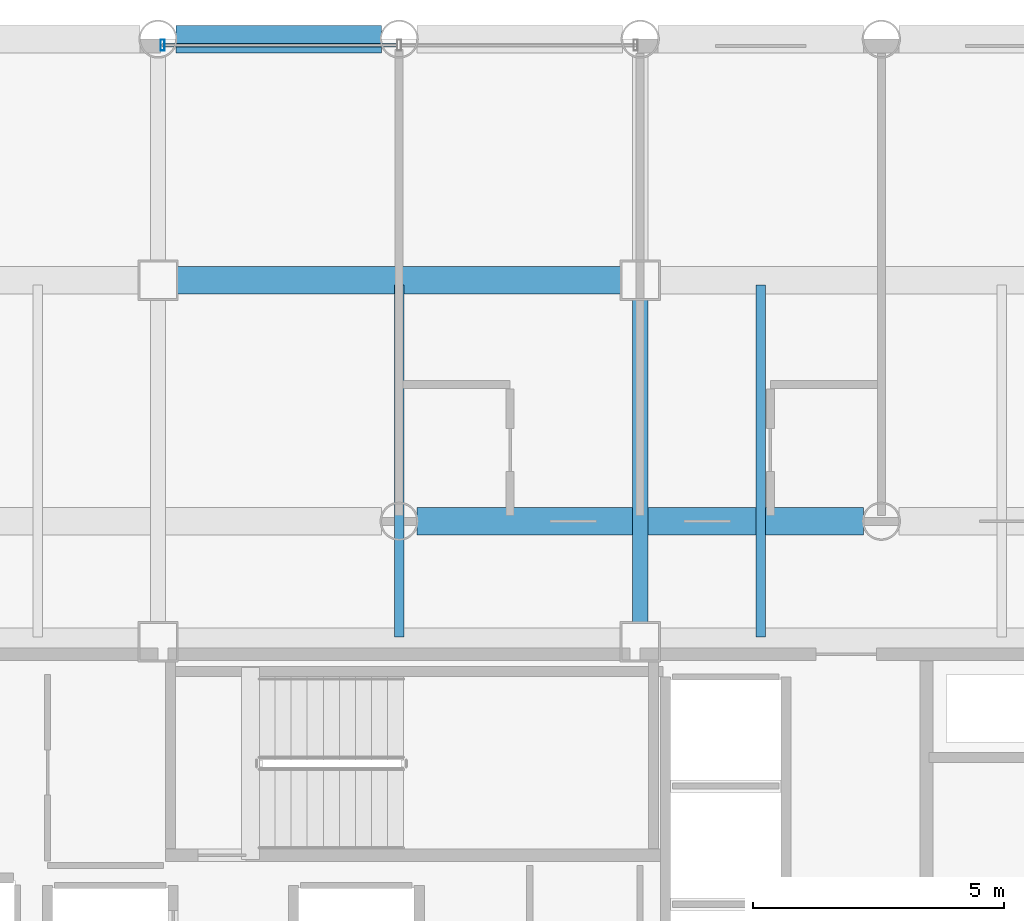
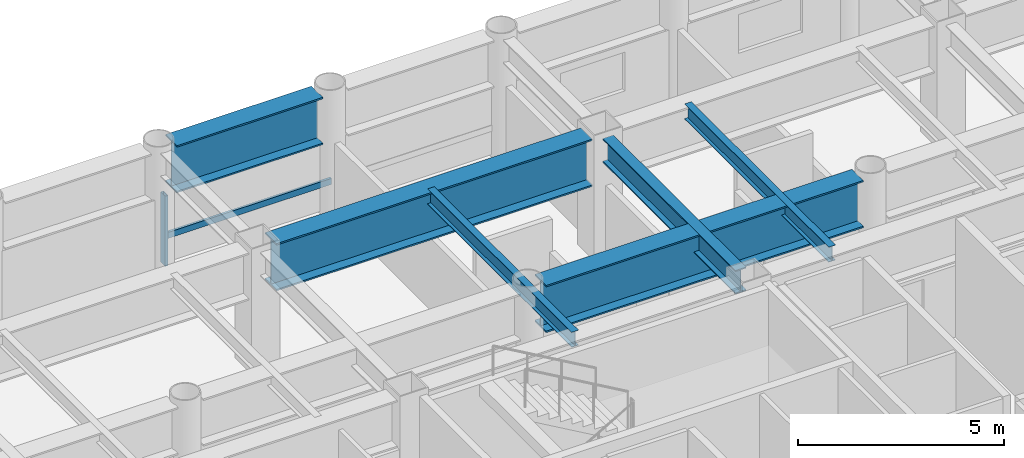
# One storey, part 10 of 22: 6 beams, 2 members, 1 element without a shape of its own.
"""IFC4 building model written with IfcOpenShell, lengths in metres."""

from ifc_helpers import new_model, si_unit, direction, frame, origin, origin_2d, place, context, subcontext, project, spatial, hollow_rectangle, i_section, extrude, material, layer, layer_set, material_profile, profile_set, type_object, element, aggregate, save


model = new_model("IFC4")

# Units and contexts
model_context = context("Model", 3, precision=1e-05, world=origin(), true_north=direction((0.0, 1.0)))
body_context = subcontext(model_context, "Body", "Model", "MODEL_VIEW")
ifc_project = project(units=[si_unit("LENGTHUNIT", "METRE"), si_unit("AREAUNIT", "SQUARE_METRE"), si_unit("VOLUMEUNIT", "CUBIC_METRE"), si_unit("PLANEANGLEUNIT", "RADIAN"), si_unit("MASSUNIT", "GRAM", prefix="KILO")], contexts=[model_context])

# Site, building, storey
site_placement = place(None, origin())
site = spatial("IfcSite", under=ifc_project, at=site_placement, CompositionType="ELEMENT")
building_placement = place(site_placement, origin())
building = spatial("IfcBuilding", under=site, at=building_placement, Name="Kallvorn Hotel Tower", CompositionType="ELEMENT")
storey_placement = place(building_placement, frame((0.0, 0.0, 59.60009765625)))
storey = spatial("IfcBuildingStorey", under=building, at=storey_placement, Name="L13", CompositionType="ELEMENT", Elevation=59.60009765625)

# Beams
ifc_material_1 = material(Name="Structural steel S355JR", Category="steel")
ifc_material_profile_1 = material_profile(ifc_material_1, i_section(OverallWidth=0.300048828125, OverallDepth=0.699951171875, WebThickness=0.01708984375, FlangeThickness=0.031982421875, at=origin_2d()), Name="HE 700 B")
ifc_profile_set_1 = profile_set([ifc_material_profile_1], Name="Structural steel S355JR")
beam_type_1 = type_object("IfcBeamType", Name="BM_HE700B", PredefinedType="BEAM", material=ifc_profile_set_1)
beam_1_placement = place(storey_placement, frame((4.800048828125, 7.574951171875, 3.169921875), z_axis=(0.0, 1.0, 0.0), x_axis=(-1.0, 0.0, 0.0)))
element("IfcBeam", 1, at=beam_1_placement, inside=storey, type_object=beam_type_1, Name="L14 Primary Y-Girder 116", PredefinedType="BEAM", context=body_context, shape_type="SweptSolid", body=[
    extrude(i_section(OverallWidth=0.300048828125, OverallDepth=0.699951171875, WebThickness=0.01708984375, FlangeThickness=0.031982421875, at=origin_2d()), origin(), (0.0, 0.0, 1.0), 6.449951171875),
])
ifc_material_2 = material(Name="Structural steel S355JR", Category="steel")
ifc_material_profile_2 = material_profile(ifc_material_2, i_section(OverallWidth=0.18994140625, OverallDepth=0.449951171875, WebThickness=0.009521484375, FlangeThickness=0.0146484375, at=origin_2d()), Name="IPE 450")
ifc_profile_set_2 = profile_set([ifc_material_profile_2], Name="Structural steel S355JR")
beam_type_2 = type_object("IfcBeamType", Name="BM_IPE450", PredefinedType="JOIST", material=ifc_profile_set_2)
for number, where, z_axis, x_axis, name in (
    (2, (0.0, 7.300048828125, 3.294921875), (0.0, 1.0, 0.0), (-1.0, 0.0, 0.0), "L14 Secondary Composite Joist 201"),
    (3, (7.199951171875, 7.300048828125, 3.294921875), (0.0, 1.0, 0.0), (-1.0, 0.0, 0.0), "L14 Secondary Composite Joist 203"),
):
    element("IfcBeam", number, at=place(storey_placement, frame(where, z_axis=z_axis, x_axis=x_axis)), inside=storey, type_object=beam_type_2, Name=name, PredefinedType="JOIST", context=body_context, shape_type="SweptSolid", body=[
        extrude(i_section(OverallWidth=0.18994140625, OverallDepth=0.449951171875, WebThickness=0.009521484375, FlangeThickness=0.0146484375, at=origin_2d()), origin(), (0.0, 0.0, 1.0), 7.0),
    ])
ifc_material_3 = material(Name="Structural steel S355JR", Category="steel")
ifc_material_profile_3 = material_profile(ifc_material_3, i_section(OverallWidth=0.550048828125, OverallDepth=1.39990234375, WebThickness=0.02490234375, FlangeThickness=0.044921875, at=origin_2d()), Name="PG 1400x550x25x45")
ifc_profile_set_3 = profile_set([ifc_material_profile_3], Name="Structural steel S355JR")
beam_type_3 = type_object("IfcBeamType", Name="BM_PG_1400", PredefinedType="BEAM", material=ifc_profile_set_3)
beam_2_placement = place(storey_placement, frame((0.35595703125, 9.60009765625, 2.81982421875), z_axis=(1.0, 0.0, 0.0), x_axis=(0.0, 1.0, 0.0)))
element("IfcBeam", 4, at=beam_2_placement, inside=storey, type_object=beam_type_3, Name="L14 Primary X-Girder 46", PredefinedType="BEAM", context=body_context, shape_type="SweptSolid", body=[
    extrude(i_section(OverallWidth=0.550048828125, OverallDepth=1.39990234375, WebThickness=0.02490234375, FlangeThickness=0.044921875, at=origin_2d()), origin(), (0.0, 0.0, 1.0), 8.887939453125),
])
beam_3_placement = place(storey_placement, frame((-4.425048828125, 14.39990234375, 2.81982421875), z_axis=(1.0, 0.0, 0.0), x_axis=(0.0, 1.0, 0.0)))
element("IfcBeam", 5, at=beam_3_placement, inside=storey, type_object=beam_type_3, Name="L14 Primary X-Girder 55", PredefinedType="BEAM", context=body_context, shape_type="SweptSolid", body=[
    extrude(i_section(OverallWidth=0.550048828125, OverallDepth=1.39990234375, WebThickness=0.02490234375, FlangeThickness=0.044921875, at=origin_2d()), origin(), (0.0, 0.0, 1.0), 8.85009765625),
])
beam_4_placement = place(storey_placement, frame((-4.444091796875, 19.199951171875, 2.81982421875), z_axis=(1.0, 0.0, 0.0), x_axis=(0.0, 1.0, 0.0)))
element("IfcBeam", 6, at=beam_4_placement, inside=storey, type_object=beam_type_3, Name="L14 Primary X-Girder 66", PredefinedType="BEAM", context=body_context, shape_type="SweptSolid", body=[
    extrude(i_section(OverallWidth=0.550048828125, OverallDepth=1.39990234375, WebThickness=0.02490234375, FlangeThickness=0.044921875, at=origin_2d()), origin(), (0.0, 0.0, 1.0), 4.088134765625),
])

# Curtain wall, members
ifc_material_4 = material(Name="Thermally broken black-anodised aluminium AA 6063-T6", Category="aluminium")
ifc_layer = layer(ifc_material_4, 0.199951171875)
ifc_layer_set = layer_set([ifc_layer], Name="CW_SYS_3_HOTEL_LOW")
curtain_wall_type = type_object("IfcCurtainWallType", Name="CW_SYS_3_HOTEL_LOW", PredefinedType="USERDEFINED", material=ifc_layer_set)
curtain_wall_placement = place(storey_placement, origin())
curtain_wall = element("IfcCurtainWall", 7, at=curtain_wall_placement, inside=storey, type_object=curtain_wall_type, Name="L13 Dark-Glass Curtain Wall CW-L13-NC", ObjectType="UNITISED CURTAIN WALL", PredefinedType="USERDEFINED")
ifc_material_5 = material(Name="Thermally broken black-anodised aluminium AA 6063-T6", Category="aluminium")
ifc_material_profile_4 = material_profile(ifc_material_5, hollow_rectangle(XDim=0.080078125, YDim=0.219970703125, WallThickness=0.0048828125, at=origin_2d()), Name="MUL 220x80")
ifc_profile_set_4 = profile_set([ifc_material_profile_4], Name="Thermally broken black-anodised aluminium AA 6063-T6")
member_type_1 = type_object("IfcMemberType", Name="CW_MULLION_220x80", PredefinedType="MULLION", material=ifc_profile_set_4)
member_1_placement = place(storey_placement, frame((-4.7099609375, 19.080078125, 0.02001953125), z_axis=(0.0, 0.0, 1.0), x_axis=(1.0, 0.0, 0.0)))
member_1 = element("IfcMember", 8, at=member_1_placement, type_object=member_type_1, Name="CW-L13-NC Mullion 00", PredefinedType="MULLION", context=body_context, shape_type="SweptSolid", body=[
    extrude(hollow_rectangle(XDim=0.080078125, YDim=0.219970703125, WallThickness=0.0048828125, at=origin_2d()), origin(), (0.0, 0.0, 1.0), 2.079833984375),
])
ifc_material_6 = material(Name="Thermally broken black-anodised aluminium AA 6063-T6", Category="aluminium")
ifc_material_profile_5 = material_profile(ifc_material_6, hollow_rectangle(XDim=0.070068359375, YDim=0.179931640625, WallThickness=0.00390625, at=origin_2d()), Name="TRN 180x70")
ifc_profile_set_5 = profile_set([ifc_material_profile_5], Name="Thermally broken black-anodised aluminium AA 6063-T6")
member_type_2 = type_object("IfcMemberType", Name="CW_TRANSOM_180x70", PredefinedType="USERDEFINED", material=ifc_profile_set_5)
member_2_placement = place(storey_placement, frame((-4.7099609375, 19.080078125, 0.849853515625), z_axis=(1.0, 0.0, 0.0), x_axis=(0.0, 1.0, 0.0)))
member_2 = element("IfcMember", 9, at=member_2_placement, type_object=member_type_2, Name="CW-L13-NC Transom 00M", ObjectType="TRANSOM", PredefinedType="USERDEFINED", context=body_context, shape_type="SweptSolid", body=[
    extrude(hollow_rectangle(XDim=0.070068359375, YDim=0.179931640625, WallThickness=0.00390625, at=origin_2d()), origin(), (0.0, 0.0, 1.0), 4.669921875),
])
aggregate(curtain_wall, [member_1, member_2])

save(model, "model.ifc")
